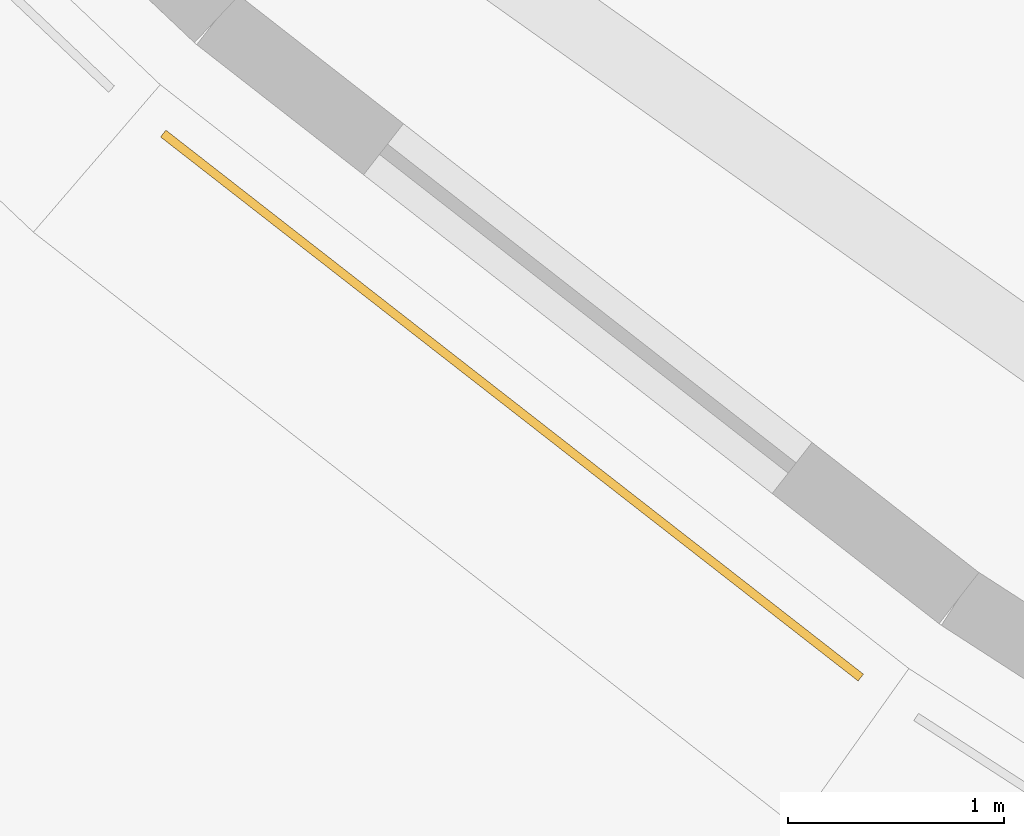
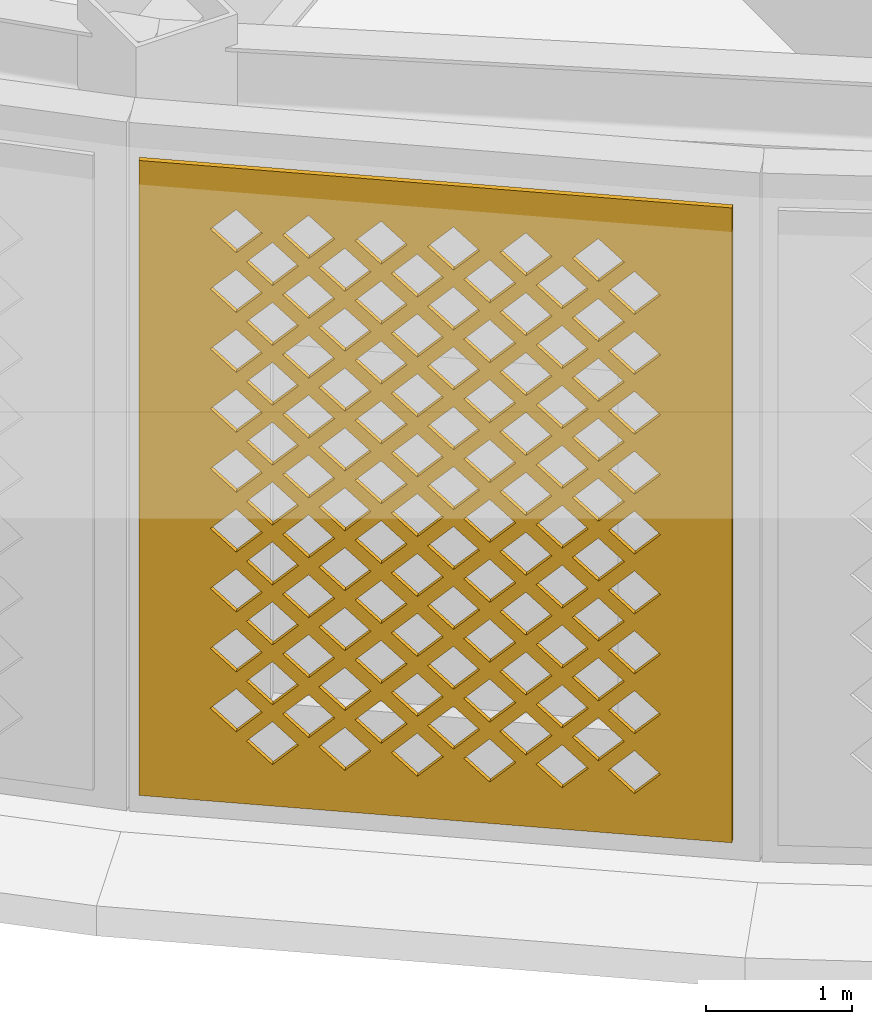
# One storey, part 36 of 74: 1 covering.
"""IFC4 building model written with IfcOpenShell, lengths in metres."""

from ifc_helpers import new_model, si_unit, direction, frame, origin, place, context, subcontext, project, spatial, polyline, outline, extrude, material, layer, layer_set, type_object, element, save


model = new_model("IFC4")

# Units and contexts
model_context = context("Model", 3, precision=1e-05, world=origin(), true_north=direction((0.0, 1.0)))
body_context = subcontext(model_context, "Body", "Model", "MODEL_VIEW")
ifc_project = project(units=[si_unit("LENGTHUNIT", "METRE"), si_unit("AREAUNIT", "SQUARE_METRE"), si_unit("VOLUMEUNIT", "CUBIC_METRE"), si_unit("PLANEANGLEUNIT", "RADIAN"), si_unit("MASSUNIT", "GRAM", prefix="KILO")], contexts=[model_context])

# Site, building, storey
site_placement = place(None, origin())
site = spatial("IfcSite", under=ifc_project, at=site_placement, CompositionType="ELEMENT")
building_placement = place(site_placement, origin())
building = spatial("IfcBuilding", under=site, at=building_placement, Name="Noorbagh Ring Tower", CompositionType="ELEMENT")
storey_placement = place(building_placement, frame((0.0, 0.0, 7.5)))
storey = spatial("IfcBuildingStorey", under=building, at=storey_placement, Name="L01", CompositionType="ELEMENT", Elevation=7.5)

# Covering
ifc_material = material(Name="Red sandstone jali", Category="masonry")
ifc_layer = layer(ifc_material, 0.0400390625)
ifc_layer_set = layer_set([ifc_layer], Name="Red sandstone jali")
covering_type = type_object("IfcCoveringType", Name="STY-JALI", PredefinedType="USERDEFINED", material=ifc_layer_set)
covering_placement = place(storey_placement, frame((-38.712890625, -26.94677734375, 0.449951171875), z_axis=(-0.614979917433, -0.788542770656, 0.0), x_axis=(0.788542770656, -0.614979917433, 0.0)))
element("IfcCovering", 1, at=covering_placement, inside=storey, type_object=covering_type, Name="Jali screen", ObjectType="SCREEN", PredefinedType="USERDEFINED", context=body_context, shape_type="SweptSolid", body=[
    extrude(outline(polyline([(0.0, 0.0), (4.09619140625, 0.0), (4.09619140625, 5.300048828125), (0.0, 5.300048828125), (0.0, 0.0)]), holes=[polyline([(0.7431640625, 0.52490234375), (0.923095703125, 0.344970703125), (1.10302734375, 0.52490234375), (0.923095703125, 0.705078125), (0.7431640625, 0.52490234375)]), polyline([(1.2431640625, 0.52490234375), (1.423095703125, 0.344970703125), (1.60302734375, 0.52490234375), (1.423095703125, 0.705078125), (1.2431640625, 0.52490234375)]), polyline([(1.7431640625, 0.52490234375), (1.923095703125, 0.344970703125), (2.10302734375, 0.52490234375), (1.923095703125, 0.705078125), (1.7431640625, 0.52490234375)]), polyline([(2.2431640625, 0.52490234375), (2.423095703125, 0.344970703125), (2.60302734375, 0.52490234375), (2.423095703125, 0.705078125), (2.2431640625, 0.52490234375)]), polyline([(2.7431640625, 0.52490234375), (2.923095703125, 0.344970703125), (3.10302734375, 0.52490234375), (2.923095703125, 0.705078125), (2.7431640625, 0.52490234375)]), polyline([(3.2431640625, 0.52490234375), (3.423095703125, 0.344970703125), (3.60302734375, 0.52490234375), (3.423095703125, 0.705078125), (3.2431640625, 0.52490234375)]), polyline([(0.4931640625, 0.77490234375), (0.673095703125, 0.594970703125), (0.85302734375, 0.77490234375), (0.673095703125, 0.955078125), (0.4931640625, 0.77490234375)]), polyline([(0.9931640625, 0.77490234375), (1.173095703125, 0.594970703125), (1.35302734375, 0.77490234375), (1.173095703125, 0.955078125), (0.9931640625, 0.77490234375)]), polyline([(1.4931640625, 0.77490234375), (1.673095703125, 0.594970703125), (1.85302734375, 0.77490234375), (1.673095703125, 0.955078125), (1.4931640625, 0.77490234375)]), polyline([(1.9931640625, 0.77490234375), (2.173095703125, 0.594970703125), (2.35302734375, 0.77490234375), (2.173095703125, 0.955078125), (1.9931640625, 0.77490234375)]), polyline([(2.4931640625, 0.77490234375), (2.673095703125, 0.594970703125), (2.85302734375, 0.77490234375), (2.673095703125, 0.955078125), (2.4931640625, 0.77490234375)]), polyline([(2.9931640625, 0.77490234375), (3.173095703125, 0.594970703125), (3.35302734375, 0.77490234375), (3.173095703125, 0.955078125), (2.9931640625, 0.77490234375)]), polyline([(0.7431640625, 1.02490234375), (0.923095703125, 0.844970703125), (1.10302734375, 1.02490234375), (0.923095703125, 1.205078125), (0.7431640625, 1.02490234375)]), polyline([(1.2431640625, 1.02490234375), (1.423095703125, 0.844970703125), (1.60302734375, 1.02490234375), (1.423095703125, 1.205078125), (1.2431640625, 1.02490234375)]), polyline([(1.7431640625, 1.02490234375), (1.923095703125, 0.844970703125), (2.10302734375, 1.02490234375), (1.923095703125, 1.205078125), (1.7431640625, 1.02490234375)]), polyline([(2.2431640625, 1.02490234375), (2.423095703125, 0.844970703125), (2.60302734375, 1.02490234375), (2.423095703125, 1.205078125), (2.2431640625, 1.02490234375)]), polyline([(2.7431640625, 1.02490234375), (2.923095703125, 0.844970703125), (3.10302734375, 1.02490234375), (2.923095703125, 1.205078125), (2.7431640625, 1.02490234375)]), polyline([(3.2431640625, 1.02490234375), (3.423095703125, 0.844970703125), (3.60302734375, 1.02490234375), (3.423095703125, 1.205078125), (3.2431640625, 1.02490234375)]), polyline([(0.4931640625, 1.27490234375), (0.673095703125, 1.094970703125), (0.85302734375, 1.27490234375), (0.673095703125, 1.455078125), (0.4931640625, 1.27490234375)]), polyline([(0.9931640625, 1.27490234375), (1.173095703125, 1.094970703125), (1.35302734375, 1.27490234375), (1.173095703125, 1.455078125), (0.9931640625, 1.27490234375)]), polyline([(1.4931640625, 1.27490234375), (1.673095703125, 1.094970703125), (1.85302734375, 1.27490234375), (1.673095703125, 1.455078125), (1.4931640625, 1.27490234375)]), polyline([(1.9931640625, 1.27490234375), (2.173095703125, 1.094970703125), (2.35302734375, 1.27490234375), (2.173095703125, 1.455078125), (1.9931640625, 1.27490234375)]), polyline([(2.4931640625, 1.27490234375), (2.673095703125, 1.094970703125), (2.85302734375, 1.27490234375), (2.673095703125, 1.455078125), (2.4931640625, 1.27490234375)]), polyline([(2.9931640625, 1.27490234375), (3.173095703125, 1.094970703125), (3.35302734375, 1.27490234375), (3.173095703125, 1.455078125), (2.9931640625, 1.27490234375)]), polyline([(0.7431640625, 1.52490234375), (0.923095703125, 1.344970703125), (1.10302734375, 1.52490234375), (0.923095703125, 1.705078125), (0.7431640625, 1.52490234375)]), polyline([(1.2431640625, 1.52490234375), (1.423095703125, 1.344970703125), (1.60302734375, 1.52490234375), (1.423095703125, 1.705078125), (1.2431640625, 1.52490234375)]), polyline([(1.7431640625, 1.52490234375), (1.923095703125, 1.344970703125), (2.10302734375, 1.52490234375), (1.923095703125, 1.705078125), (1.7431640625, 1.52490234375)]), polyline([(2.2431640625, 1.52490234375), (2.423095703125, 1.344970703125), (2.60302734375, 1.52490234375), (2.423095703125, 1.705078125), (2.2431640625, 1.52490234375)]), polyline([(2.7431640625, 1.52490234375), (2.923095703125, 1.344970703125), (3.10302734375, 1.52490234375), (2.923095703125, 1.705078125), (2.7431640625, 1.52490234375)]), polyline([(3.2431640625, 1.52490234375), (3.423095703125, 1.344970703125), (3.60302734375, 1.52490234375), (3.423095703125, 1.705078125), (3.2431640625, 1.52490234375)]), polyline([(0.4931640625, 1.77490234375), (0.673095703125, 1.594970703125), (0.85302734375, 1.77490234375), (0.673095703125, 1.955078125), (0.4931640625, 1.77490234375)]), polyline([(0.9931640625, 1.77490234375), (1.173095703125, 1.594970703125), (1.35302734375, 1.77490234375), (1.173095703125, 1.955078125), (0.9931640625, 1.77490234375)]), polyline([(1.4931640625, 1.77490234375), (1.673095703125, 1.594970703125), (1.85302734375, 1.77490234375), (1.673095703125, 1.955078125), (1.4931640625, 1.77490234375)]), polyline([(1.9931640625, 1.77490234375), (2.173095703125, 1.594970703125), (2.35302734375, 1.77490234375), (2.173095703125, 1.955078125), (1.9931640625, 1.77490234375)]), polyline([(2.4931640625, 1.77490234375), (2.673095703125, 1.594970703125), (2.85302734375, 1.77490234375), (2.673095703125, 1.955078125), (2.4931640625, 1.77490234375)]), polyline([(2.9931640625, 1.77490234375), (3.173095703125, 1.594970703125), (3.35302734375, 1.77490234375), (3.173095703125, 1.955078125), (2.9931640625, 1.77490234375)]), polyline([(0.7431640625, 2.02490234375), (0.923095703125, 1.844970703125), (1.10302734375, 2.02490234375), (0.923095703125, 2.205078125), (0.7431640625, 2.02490234375)]), polyline([(1.2431640625, 2.02490234375), (1.423095703125, 1.844970703125), (1.60302734375, 2.02490234375), (1.423095703125, 2.205078125), (1.2431640625, 2.02490234375)]), polyline([(1.7431640625, 2.02490234375), (1.923095703125, 1.844970703125), (2.10302734375, 2.02490234375), (1.923095703125, 2.205078125), (1.7431640625, 2.02490234375)]), polyline([(2.2431640625, 2.02490234375), (2.423095703125, 1.844970703125), (2.60302734375, 2.02490234375), (2.423095703125, 2.205078125), (2.2431640625, 2.02490234375)]), polyline([(2.7431640625, 2.02490234375), (2.923095703125, 1.844970703125), (3.10302734375, 2.02490234375), (2.923095703125, 2.205078125), (2.7431640625, 2.02490234375)]), polyline([(3.2431640625, 2.02490234375), (3.423095703125, 1.844970703125), (3.60302734375, 2.02490234375), (3.423095703125, 2.205078125), (3.2431640625, 2.02490234375)]), polyline([(0.4931640625, 2.27490234375), (0.673095703125, 2.094970703125), (0.85302734375, 2.27490234375), (0.673095703125, 2.455078125), (0.4931640625, 2.27490234375)]), polyline([(0.9931640625, 2.27490234375), (1.173095703125, 2.094970703125), (1.35302734375, 2.27490234375), (1.173095703125, 2.455078125), (0.9931640625, 2.27490234375)]), polyline([(1.4931640625, 2.27490234375), (1.673095703125, 2.094970703125), (1.85302734375, 2.27490234375), (1.673095703125, 2.455078125), (1.4931640625, 2.27490234375)]), polyline([(1.9931640625, 2.27490234375), (2.173095703125, 2.094970703125), (2.35302734375, 2.27490234375), (2.173095703125, 2.455078125), (1.9931640625, 2.27490234375)]), polyline([(2.4931640625, 2.27490234375), (2.673095703125, 2.094970703125), (2.85302734375, 2.27490234375), (2.673095703125, 2.455078125), (2.4931640625, 2.27490234375)]), polyline([(2.9931640625, 2.27490234375), (3.173095703125, 2.094970703125), (3.35302734375, 2.27490234375), (3.173095703125, 2.455078125), (2.9931640625, 2.27490234375)]), polyline([(0.7431640625, 2.52490234375), (0.923095703125, 2.344970703125), (1.10302734375, 2.52490234375), (0.923095703125, 2.705078125), (0.7431640625, 2.52490234375)]), polyline([(1.2431640625, 2.52490234375), (1.423095703125, 2.344970703125), (1.60302734375, 2.52490234375), (1.423095703125, 2.705078125), (1.2431640625, 2.52490234375)]), polyline([(1.7431640625, 2.52490234375), (1.923095703125, 2.344970703125), (2.10302734375, 2.52490234375), (1.923095703125, 2.705078125), (1.7431640625, 2.52490234375)]), polyline([(2.2431640625, 2.52490234375), (2.423095703125, 2.344970703125), (2.60302734375, 2.52490234375), (2.423095703125, 2.705078125), (2.2431640625, 2.52490234375)]), polyline([(2.7431640625, 2.52490234375), (2.923095703125, 2.344970703125), (3.10302734375, 2.52490234375), (2.923095703125, 2.705078125), (2.7431640625, 2.52490234375)]), polyline([(3.2431640625, 2.52490234375), (3.423095703125, 2.344970703125), (3.60302734375, 2.52490234375), (3.423095703125, 2.705078125), (3.2431640625, 2.52490234375)]), polyline([(0.4931640625, 2.77490234375), (0.673095703125, 2.594970703125), (0.85302734375, 2.77490234375), (0.673095703125, 2.955078125), (0.4931640625, 2.77490234375)]), polyline([(0.9931640625, 2.77490234375), (1.173095703125, 2.594970703125), (1.35302734375, 2.77490234375), (1.173095703125, 2.955078125), (0.9931640625, 2.77490234375)]), polyline([(1.4931640625, 2.77490234375), (1.673095703125, 2.594970703125), (1.85302734375, 2.77490234375), (1.673095703125, 2.955078125), (1.4931640625, 2.77490234375)]), polyline([(1.9931640625, 2.77490234375), (2.173095703125, 2.594970703125), (2.35302734375, 2.77490234375), (2.173095703125, 2.955078125), (1.9931640625, 2.77490234375)]), polyline([(2.4931640625, 2.77490234375), (2.673095703125, 2.594970703125), (2.85302734375, 2.77490234375), (2.673095703125, 2.955078125), (2.4931640625, 2.77490234375)]), polyline([(2.9931640625, 2.77490234375), (3.173095703125, 2.594970703125), (3.35302734375, 2.77490234375), (3.173095703125, 2.955078125), (2.9931640625, 2.77490234375)]), polyline([(0.7431640625, 3.02490234375), (0.923095703125, 2.844970703125), (1.10302734375, 3.02490234375), (0.923095703125, 3.205078125), (0.7431640625, 3.02490234375)]), polyline([(1.2431640625, 3.02490234375), (1.423095703125, 2.844970703125), (1.60302734375, 3.02490234375), (1.423095703125, 3.205078125), (1.2431640625, 3.02490234375)]), polyline([(1.7431640625, 3.02490234375), (1.923095703125, 2.844970703125), (2.10302734375, 3.02490234375), (1.923095703125, 3.205078125), (1.7431640625, 3.02490234375)]), polyline([(2.2431640625, 3.02490234375), (2.423095703125, 2.844970703125), (2.60302734375, 3.02490234375), (2.423095703125, 3.205078125), (2.2431640625, 3.02490234375)]), polyline([(2.7431640625, 3.02490234375), (2.923095703125, 2.844970703125), (3.10302734375, 3.02490234375), (2.923095703125, 3.205078125), (2.7431640625, 3.02490234375)]), polyline([(3.2431640625, 3.02490234375), (3.423095703125, 2.844970703125), (3.60302734375, 3.02490234375), (3.423095703125, 3.205078125), (3.2431640625, 3.02490234375)]), polyline([(0.4931640625, 3.27490234375), (0.673095703125, 3.094970703125), (0.85302734375, 3.27490234375), (0.673095703125, 3.455078125), (0.4931640625, 3.27490234375)]), polyline([(0.9931640625, 3.27490234375), (1.173095703125, 3.094970703125), (1.35302734375, 3.27490234375), (1.173095703125, 3.455078125), (0.9931640625, 3.27490234375)]), polyline([(1.4931640625, 3.27490234375), (1.673095703125, 3.094970703125), (1.85302734375, 3.27490234375), (1.673095703125, 3.455078125), (1.4931640625, 3.27490234375)]), polyline([(1.9931640625, 3.27490234375), (2.173095703125, 3.094970703125), (2.35302734375, 3.27490234375), (2.173095703125, 3.455078125), (1.9931640625, 3.27490234375)]), polyline([(2.4931640625, 3.27490234375), (2.673095703125, 3.094970703125), (2.85302734375, 3.27490234375), (2.673095703125, 3.455078125), (2.4931640625, 3.27490234375)]), polyline([(2.9931640625, 3.27490234375), (3.173095703125, 3.094970703125), (3.35302734375, 3.27490234375), (3.173095703125, 3.455078125), (2.9931640625, 3.27490234375)]), polyline([(0.7431640625, 3.52490234375), (0.923095703125, 3.344970703125), (1.10302734375, 3.52490234375), (0.923095703125, 3.705078125), (0.7431640625, 3.52490234375)]), polyline([(1.2431640625, 3.52490234375), (1.423095703125, 3.344970703125), (1.60302734375, 3.52490234375), (1.423095703125, 3.705078125), (1.2431640625, 3.52490234375)]), polyline([(1.7431640625, 3.52490234375), (1.923095703125, 3.344970703125), (2.10302734375, 3.52490234375), (1.923095703125, 3.705078125), (1.7431640625, 3.52490234375)]), polyline([(2.2431640625, 3.52490234375), (2.423095703125, 3.344970703125), (2.60302734375, 3.52490234375), (2.423095703125, 3.705078125), (2.2431640625, 3.52490234375)]), polyline([(2.7431640625, 3.52490234375), (2.923095703125, 3.344970703125), (3.10302734375, 3.52490234375), (2.923095703125, 3.705078125), (2.7431640625, 3.52490234375)]), polyline([(3.2431640625, 3.52490234375), (3.423095703125, 3.344970703125), (3.60302734375, 3.52490234375), (3.423095703125, 3.705078125), (3.2431640625, 3.52490234375)]), polyline([(0.4931640625, 3.77490234375), (0.673095703125, 3.594970703125), (0.85302734375, 3.77490234375), (0.673095703125, 3.955078125), (0.4931640625, 3.77490234375)]), polyline([(0.9931640625, 3.77490234375), (1.173095703125, 3.594970703125), (1.35302734375, 3.77490234375), (1.173095703125, 3.955078125), (0.9931640625, 3.77490234375)]), polyline([(1.4931640625, 3.77490234375), (1.673095703125, 3.594970703125), (1.85302734375, 3.77490234375), (1.673095703125, 3.955078125), (1.4931640625, 3.77490234375)]), polyline([(1.9931640625, 3.77490234375), (2.173095703125, 3.594970703125), (2.35302734375, 3.77490234375), (2.173095703125, 3.955078125), (1.9931640625, 3.77490234375)]), polyline([(2.4931640625, 3.77490234375), (2.673095703125, 3.594970703125), (2.85302734375, 3.77490234375), (2.673095703125, 3.955078125), (2.4931640625, 3.77490234375)]), polyline([(2.9931640625, 3.77490234375), (3.173095703125, 3.594970703125), (3.35302734375, 3.77490234375), (3.173095703125, 3.955078125), (2.9931640625, 3.77490234375)]), polyline([(0.7431640625, 4.02490234375), (0.923095703125, 3.844970703125), (1.10302734375, 4.02490234375), (0.923095703125, 4.205078125), (0.7431640625, 4.02490234375)]), polyline([(1.2431640625, 4.02490234375), (1.423095703125, 3.844970703125), (1.60302734375, 4.02490234375), (1.423095703125, 4.205078125), (1.2431640625, 4.02490234375)]), polyline([(1.7431640625, 4.02490234375), (1.923095703125, 3.844970703125), (2.10302734375, 4.02490234375), (1.923095703125, 4.205078125), (1.7431640625, 4.02490234375)]), polyline([(2.2431640625, 4.02490234375), (2.423095703125, 3.844970703125), (2.60302734375, 4.02490234375), (2.423095703125, 4.205078125), (2.2431640625, 4.02490234375)]), polyline([(2.7431640625, 4.02490234375), (2.923095703125, 3.844970703125), (3.10302734375, 4.02490234375), (2.923095703125, 4.205078125), (2.7431640625, 4.02490234375)]), polyline([(3.2431640625, 4.02490234375), (3.423095703125, 3.844970703125), (3.60302734375, 4.02490234375), (3.423095703125, 4.205078125), (3.2431640625, 4.02490234375)]), polyline([(0.4931640625, 4.27490234375), (0.673095703125, 4.094970703125), (0.85302734375, 4.27490234375), (0.673095703125, 4.455078125), (0.4931640625, 4.27490234375)]), polyline([(0.9931640625, 4.27490234375), (1.173095703125, 4.094970703125), (1.35302734375, 4.27490234375), (1.173095703125, 4.455078125), (0.9931640625, 4.27490234375)]), polyline([(1.4931640625, 4.27490234375), (1.673095703125, 4.094970703125), (1.85302734375, 4.27490234375), (1.673095703125, 4.455078125), (1.4931640625, 4.27490234375)]), polyline([(1.9931640625, 4.27490234375), (2.173095703125, 4.094970703125), (2.35302734375, 4.27490234375), (2.173095703125, 4.455078125), (1.9931640625, 4.27490234375)]), polyline([(2.4931640625, 4.27490234375), (2.673095703125, 4.094970703125), (2.85302734375, 4.27490234375), (2.673095703125, 4.455078125), (2.4931640625, 4.27490234375)]), polyline([(2.9931640625, 4.27490234375), (3.173095703125, 4.094970703125), (3.35302734375, 4.27490234375), (3.173095703125, 4.455078125), (2.9931640625, 4.27490234375)]), polyline([(0.7431640625, 4.52490234375), (0.923095703125, 4.344970703125), (1.10302734375, 4.52490234375), (0.923095703125, 4.705078125), (0.7431640625, 4.52490234375)]), polyline([(1.2431640625, 4.52490234375), (1.423095703125, 4.344970703125), (1.60302734375, 4.52490234375), (1.423095703125, 4.705078125), (1.2431640625, 4.52490234375)]), polyline([(1.7431640625, 4.52490234375), (1.923095703125, 4.344970703125), (2.10302734375, 4.52490234375), (1.923095703125, 4.705078125), (1.7431640625, 4.52490234375)]), polyline([(2.2431640625, 4.52490234375), (2.423095703125, 4.344970703125), (2.60302734375, 4.52490234375), (2.423095703125, 4.705078125), (2.2431640625, 4.52490234375)]), polyline([(2.7431640625, 4.52490234375), (2.923095703125, 4.344970703125), (3.10302734375, 4.52490234375), (2.923095703125, 4.705078125), (2.7431640625, 4.52490234375)]), polyline([(3.2431640625, 4.52490234375), (3.423095703125, 4.344970703125), (3.60302734375, 4.52490234375), (3.423095703125, 4.705078125), (3.2431640625, 4.52490234375)]), polyline([(0.4931640625, 4.77490234375), (0.673095703125, 4.594970703125), (0.85302734375, 4.77490234375), (0.673095703125, 4.955078125), (0.4931640625, 4.77490234375)]), polyline([(0.9931640625, 4.77490234375), (1.173095703125, 4.594970703125), (1.35302734375, 4.77490234375), (1.173095703125, 4.955078125), (0.9931640625, 4.77490234375)]), polyline([(1.4931640625, 4.77490234375), (1.673095703125, 4.594970703125), (1.85302734375, 4.77490234375), (1.673095703125, 4.955078125), (1.4931640625, 4.77490234375)]), polyline([(1.9931640625, 4.77490234375), (2.173095703125, 4.594970703125), (2.35302734375, 4.77490234375), (2.173095703125, 4.955078125), (1.9931640625, 4.77490234375)]), polyline([(2.4931640625, 4.77490234375), (2.673095703125, 4.594970703125), (2.85302734375, 4.77490234375), (2.673095703125, 4.955078125), (2.4931640625, 4.77490234375)]), polyline([(2.9931640625, 4.77490234375), (3.173095703125, 4.594970703125), (3.35302734375, 4.77490234375), (3.173095703125, 4.955078125), (2.9931640625, 4.77490234375)])]), origin(), (0.0, 0.0, -1.0), 0.0400390625),
])

save(model, "model.ifc")
